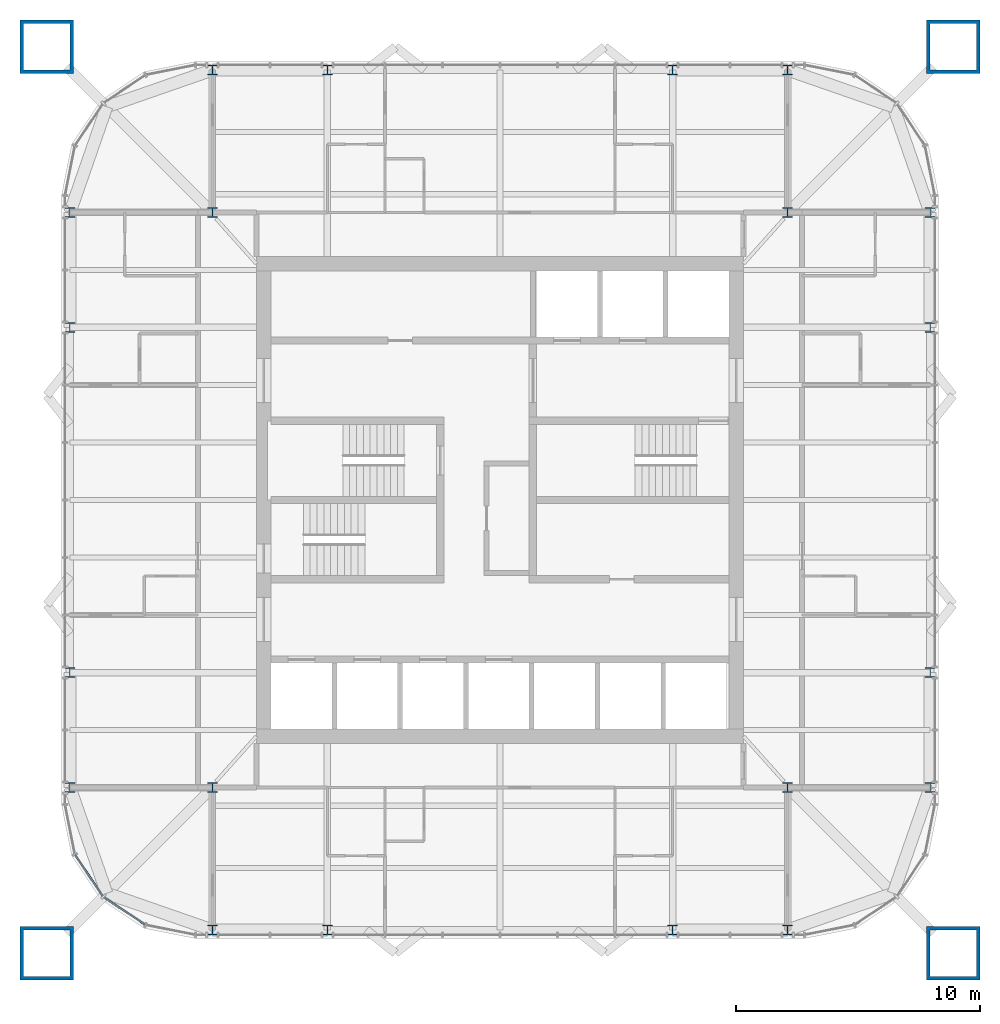
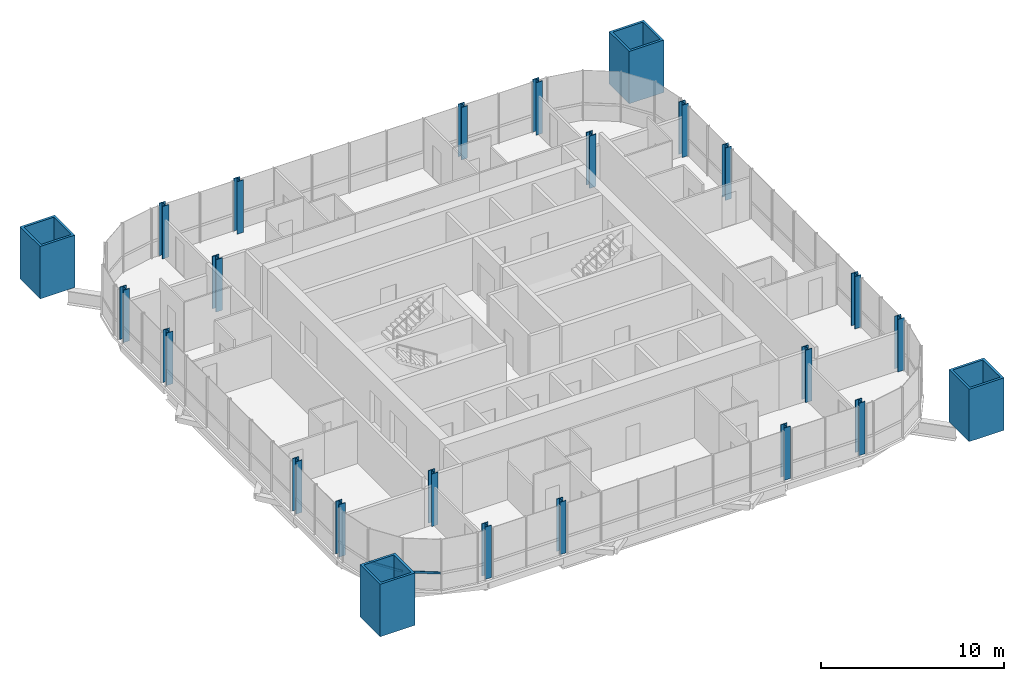
# One storey, part 1 of 17: 24 columns, 2 members, 1 element without a shape of its own.
"""IFC4 building model written with IfcOpenShell, lengths in metres."""

from ifc_helpers import new_model, si_unit, direction, frame, origin, origin_2d, place, context, subcontext, project, spatial, rectangle, hollow_rectangle, i_section, extrude, material, material_profile, profile_set, type_object, element, aggregate, save


model = new_model("IFC4")

# Units and contexts
model_context = context("Model", 3, precision=1e-05, world=origin(), true_north=direction((0.0, 1.0)))
body_context = subcontext(model_context, "Body", "Model", "MODEL_VIEW")
ifc_project = project(units=[si_unit("LENGTHUNIT", "METRE"), si_unit("AREAUNIT", "SQUARE_METRE"), si_unit("VOLUMEUNIT", "CUBIC_METRE"), si_unit("PLANEANGLEUNIT", "RADIAN"), si_unit("MASSUNIT", "GRAM", prefix="KILO")], contexts=[model_context])

# Site, building, storey
site_placement = place(None, origin())
site = spatial("IfcSite", under=ifc_project, at=site_placement, CompositionType="ELEMENT")
building_placement = place(site_placement, origin())
building = spatial("IfcBuilding", under=site, at=building_placement, Name="Turquesa Mirador Hotel Tower", CompositionType="ELEMENT")
storey_placement = place(building_placement, frame((0.0, 0.0, 254.699951171875)))
storey = spatial("IfcBuildingStorey", under=building, at=storey_placement, Name="L69", CompositionType="ELEMENT", Elevation=254.699951171875)

# Columns
ifc_material_1 = material(Name="Steel ASTM A992 Grade 50", Category="steel")
ifc_material_profile_1 = material_profile(ifc_material_1, i_section(OverallWidth=0.398681640625, OverallDepth=0.393798828125, WebThickness=0.022705078125, FlangeThickness=0.03662109375, at=origin_2d()), Name="W14X193")
ifc_profile_set_1 = profile_set([ifc_material_profile_1], Name="Steel ASTM A992 Grade 50")
column_type_1 = type_object("IfcColumnType", Name="COLUMN W14X193", PredefinedType="COLUMN", material=ifc_profile_set_1)
for number, where, z_axis, x_axis, name in (
    (1, (37.35009765625, 33.199951171875, 0.0), (0.0, 0.0, 1.0), (1.0, 0.0, 0.0), "COL-L69-P--17.65--11.80"),
    (2, (37.35009765625, 37.919921875, 0.0), (0.0, 0.0, 1.0), (1.0, 0.0, 0.0), "COL-L69-P--17.65--7.08"),
    (3, (37.35009765625, 52.080078125, 0.0), (0.0, 0.0, 1.0), (1.0, 0.0, 0.0), "COL-L69-P--17.65-+7.08"),
    (4, (37.35009765625, 56.800048828125, 0.0), (0.0, 0.0, 1.0), (1.0, 0.0, 0.0), "COL-L69-P--17.65-+11.80"),
    (5, (43.199951171875, 27.35009765625, 0.0), (0.0, 0.0, 1.0), (1.0, 0.0, 0.0), "COL-L69-P--11.80--17.65"),
    (6, (43.199951171875, 62.64990234375, 0.0), (0.0, 0.0, 1.0), (1.0, 0.0, 0.0), "COL-L69-P--11.80-+17.65"),
    (7, (47.919921875, 27.35009765625, 0.0), (0.0, 0.0, 1.0), (1.0, 0.0, 0.0), "COL-L69-P--7.08--17.65"),
    (8, (47.919921875, 62.64990234375, 0.0), (0.0, 0.0, 1.0), (1.0, 0.0, 0.0), "COL-L69-P--7.08-+17.65"),
    (9, (62.080078125, 27.35009765625, 0.0), (0.0, 0.0, 1.0), (1.0, 0.0, 0.0), "COL-L69-P-+7.08--17.65"),
    (10, (62.080078125, 62.64990234375, 0.0), (0.0, 0.0, 1.0), (1.0, 0.0, 0.0), "COL-L69-P-+7.08-+17.65"),
    (11, (66.800048828125, 27.35009765625, 0.0), (0.0, 0.0, 1.0), (1.0, 0.0, 0.0), "COL-L69-P-+11.80--17.65"),
    (12, (66.800048828125, 62.64990234375, 0.0), (0.0, 0.0, 1.0), (1.0, 0.0, 0.0), "COL-L69-P-+11.80-+17.65"),
    (13, (72.64990234375, 33.199951171875, 0.0), (0.0, 0.0, 1.0), (1.0, 0.0, 0.0), "COL-L69-P-+17.65--11.80"),
    (14, (72.64990234375, 37.919921875, 0.0), (0.0, 0.0, 1.0), (1.0, 0.0, 0.0), "COL-L69-P-+17.65--7.08"),
    (15, (72.64990234375, 52.080078125, 0.0), (0.0, 0.0, 1.0), (1.0, 0.0, 0.0), "COL-L69-P-+17.65-+7.08"),
    (16, (72.64990234375, 56.800048828125, 0.0), (0.0, 0.0, 1.0), (1.0, 0.0, 0.0), "COL-L69-P-+17.65-+11.80"),
):
    element("IfcColumn", number, at=place(storey_placement, frame(where, z_axis=z_axis, x_axis=x_axis)), inside=storey, type_object=column_type_1, Name=name, PredefinedType="COLUMN", context=body_context, shape_type="SweptSolid", body=[
        extrude(i_section(OverallWidth=0.398681640625, OverallDepth=0.393798828125, WebThickness=0.022705078125, FlangeThickness=0.03662109375, at=origin_2d()), origin(), (0.0, 0.0, 1.0), 3.5),
    ])
ifc_material_2 = material(Name="Steel ASTM A992 Grade 50", Category="steel")
ifc_material_profile_2 = material_profile(ifc_material_2, i_section(OverallWidth=0.406494140625, OverallDepth=0.41650390625, WebThickness=0.030029296875, FlangeThickness=0.048095703125, at=origin_2d()), Name="W14X257")
ifc_profile_set_2 = profile_set([ifc_material_profile_2], Name="Steel ASTM A992 Grade 50")
column_type_2 = type_object("IfcColumnType", Name="COLUMN W14X257", PredefinedType="COLUMN", material=ifc_profile_set_2)
for number, where, z_axis, x_axis, name in (
    (17, (43.199951171875, 33.199951171875, 0.0), (0.0, 0.0, 1.0), (1.0, 0.0, 0.0), "COL-L69-K--11.80--11.80"),
    (18, (43.199951171875, 56.800048828125, 0.0), (0.0, 0.0, 1.0), (1.0, 0.0, 0.0), "COL-L69-K--11.80-+11.80"),
    (19, (66.800048828125, 33.199951171875, 0.0), (0.0, 0.0, 1.0), (1.0, 0.0, 0.0), "COL-L69-K-+11.80--11.80"),
    (20, (66.800048828125, 56.800048828125, 0.0), (0.0, 0.0, 1.0), (1.0, 0.0, 0.0), "COL-L69-K-+11.80-+11.80"),
):
    element("IfcColumn", number, at=place(storey_placement, frame(where, z_axis=z_axis, x_axis=x_axis)), inside=storey, type_object=column_type_2, Name=name, PredefinedType="COLUMN", context=body_context, shape_type="SweptSolid", body=[
        extrude(i_section(OverallWidth=0.406494140625, OverallDepth=0.41650390625, WebThickness=0.030029296875, FlangeThickness=0.048095703125, at=origin_2d()), origin(), (0.0, 0.0, 1.0), 3.5),
    ])
ifc_material_3 = material(Name="Steel ASTM A514 Grade Q", Category="steel")
ifc_material_profile_3 = material_profile(ifc_material_3, hollow_rectangle(XDim=2.199951171875, YDim=2.199951171875, WallThickness=0.14990234375, at=origin_2d()), Name="BOX2200X2200X150")
ifc_profile_set_3 = profile_set([ifc_material_profile_3], Name="Steel ASTM A514 Grade Q")
column_type_3 = type_object("IfcColumnType", Name="MEGA COLUMN BOX2200X2200X150", PredefinedType="COLUMN", material=ifc_profile_set_3)
for number, where, z_axis, x_axis, name in (
    (21, (73.60009765625, 63.60009765625, 0.0), (0.0, 0.0, 1.0), (1.0, 0.0, 0.0), "Mega column M1"),
    (22, (36.39990234375, 63.60009765625, 0.0), (0.0, 0.0, 1.0), (1.0, 0.0, 0.0), "Mega column M2"),
    (23, (36.39990234375, 26.39990234375, 0.0), (0.0, 0.0, 1.0), (1.0, 0.0, 0.0), "Mega column M3"),
    (24, (73.60009765625, 26.39990234375, 0.0), (0.0, 0.0, 1.0), (1.0, 0.0, 0.0), "Mega column M4"),
):
    element("IfcColumn", number, at=place(storey_placement, frame(where, z_axis=z_axis, x_axis=x_axis)), inside=storey, type_object=column_type_3, Name=name, PredefinedType="COLUMN", context=body_context, shape_type="SweptSolid", body=[
        extrude(hollow_rectangle(XDim=2.199951171875, YDim=2.199951171875, WallThickness=0.14990234375, at=origin_2d()), origin(), (0.0, 0.0, 1.0), 3.5),
    ])

# Curtain wall, members
ifc_material_4 = material(Name="Aluminium extrusion", Category="aluminium")
curtain_wall_type = type_object("IfcCurtainWallType", Name="CW-4 SUITE FRITTED CURTAIN WALL", PredefinedType="USERDEFINED", material=ifc_material_4)
curtain_wall_placement = place(storey_placement, origin())
curtain_wall = element("IfcCurtainWall", 25, at=curtain_wall_placement, inside=storey, type_object=curtain_wall_type, Name="CW-4 SUITE FRITTED CURTAIN WALL L69", ObjectType="CURTAIN WALL", PredefinedType="USERDEFINED")
ifc_material_5 = material(Name="Aluminium extrusion", Category="aluminium")
ifc_material_profile_4 = material_profile(ifc_material_5, rectangle(XDim=0.06494140625, YDim=0.14990234375, at=origin_2d()), Name="TRANSOM 65X150")
ifc_profile_set_4 = profile_set([ifc_material_profile_4], Name="Aluminium extrusion")
member_type = type_object("IfcMemberType", Name="CW TRANSOM 65X150", PredefinedType="USERDEFINED", material=ifc_profile_set_4)
member_1_placement = place(storey_placement, frame((37.5751953125, 30.425537109375, 1.10009765625), z_axis=(0.555619095835, -0.831436961136, 0.0), x_axis=(0.831436961136, 0.555619095835, 0.0)))
member_1 = element("IfcMember", 26, at=member_1_placement, type_object=member_type, Name="Transom", ObjectType="TRANSOM", PredefinedType="USERDEFINED", context=body_context, shape_type="SweptSolid", body=[
    extrude(rectangle(XDim=0.06494140625, YDim=0.14990234375, at=origin_2d()), origin(), (0.0, 0.0, 1.0), 2.0224609375),
])
member_2_placement = place(storey_placement, frame((38.743896484375, 28.698974609375, 1.10009765625), z_axis=(0.831436961136, -0.555619095835, 0.0), x_axis=(0.555619095835, 0.831436961136, 0.0)))
member_2 = element("IfcMember", 27, at=member_2_placement, type_object=member_type, Name="Transom", ObjectType="TRANSOM", PredefinedType="USERDEFINED", context=body_context, shape_type="SweptSolid", body=[
    extrude(rectangle(XDim=0.06494140625, YDim=0.14990234375, at=origin_2d()), origin(), (0.0, 0.0, 1.0), 2.0224609375),
])
aggregate(curtain_wall, [member_1, member_2])

save(model, "model.ifc")
